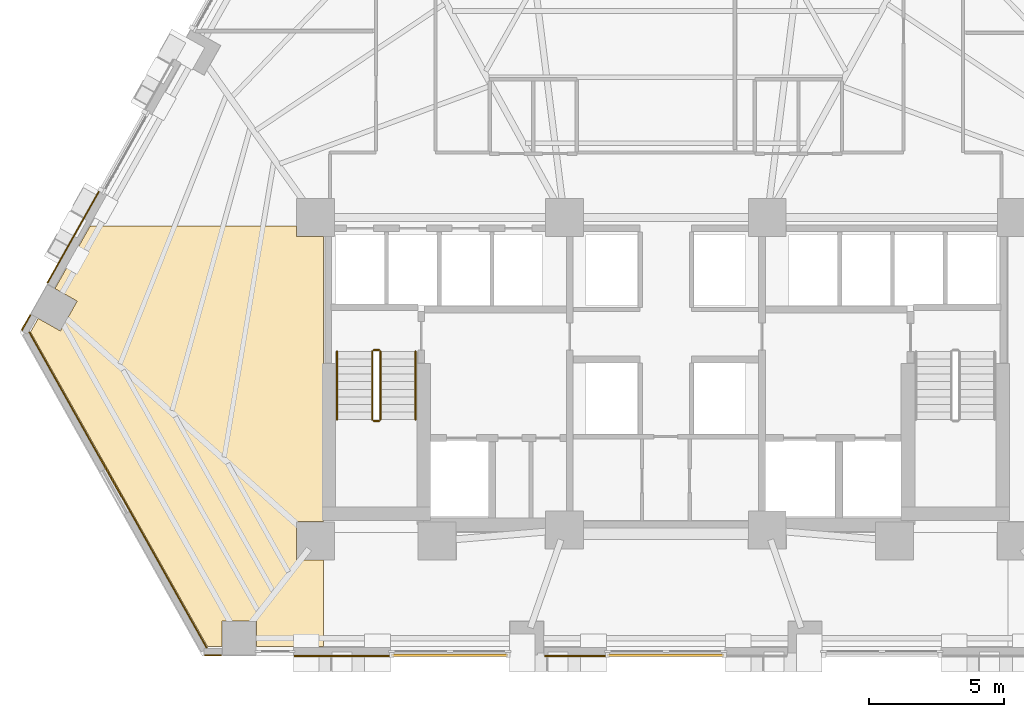
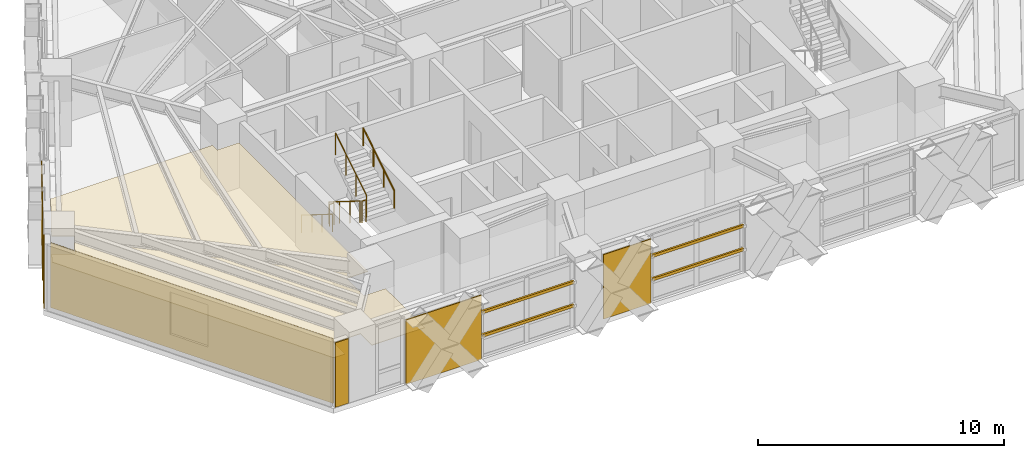
# One storey, part 10 of 13: 7 coverings, 6 railings, 4 shading devices.
"""IFC4 building model written with IfcOpenShell, lengths in metres."""

import ifcopenshell
import ifcopenshell.guid

model = None  # the IFC model being written
_history = None  # IfcOwnerHistory: only IFC2X3 demands one
_inside = {}  # id of a spatial element -> (the spatial element, [elements in it])
_under = {}  # id of a project, library or spatial element -> (it, [spatial elements below it])
_declared = {}  # id of a project -> (the project, [libraries it declares])
_typed = {}  # id of a type object -> (the type object, [elements of that type])
_made_of = {}  # id of a material, layer set ... -> (it, [elements and type objects made of it])


def new_model(schema):
    """Start an empty IFC model of exactly this schema.

    Asked for "IFC4X3", IfcOpenShell would pick the latest addendum, in which some entities
    have other attributes; the version numbers below select the first issue.
    IFC2X3 requires an IfcOwnerHistory on every rooted entity: one is made here for all.
    """
    global model, _history
    if schema == "IFC4X3":
        model = ifcopenshell.file(schema_version=(4, 3, 0, 0))
    else:
        model = ifcopenshell.file(schema=schema)
    _inside.clear()
    _under.clear()
    _declared.clear()
    _typed.clear()
    _made_of.clear()
    _history = None
    if model.schema == "IFC2X3":
        org = make("IfcOrganization", Name="unknown")
        user = make(
            "IfcPersonAndOrganization",
            ThePerson=make("IfcPerson", FamilyName="unknown"),
            TheOrganization=org,
        )
        app = make(
            "IfcApplication",
            ApplicationDeveloper=org,
            Version="unknown",
            ApplicationFullName="unknown",
            ApplicationIdentifier="unknown",
        )
        _history = make(
            "IfcOwnerHistory",
            OwningUser=user,
            OwningApplication=app,
            ChangeAction="ADDED",
            CreationDate=0,
        )
    return model


def make(cls, **values):
    """One entity of the class cls with the attributes given. An attribute that is None is left unset."""
    return model.create_entity(
        cls, **{name: value for name, value in values.items() if value is not None}
    )


def rooted(cls, **values):
    """An entity with a GlobalId (a new one), such as an element, a storey or a relation."""
    return make(cls, GlobalId=ifcopenshell.guid.new(), OwnerHistory=_history, **values)


def si_unit(unit_type, name, prefix=None):
    """IfcSIUnit, for example si_unit("LENGTHUNIT", "METRE", prefix="MILLI")."""
    return make("IfcSIUnit", UnitType=unit_type, Prefix=prefix, Name=name)


def assignment(units):
    """IfcUnitAssignment: the units of a project."""
    return None if units is None else make("IfcUnitAssignment", Units=units)


def point(xyz):
    """IfcCartesianPoint."""
    return None if xyz is None else make("IfcCartesianPoint", Coordinates=xyz)


def direction(xyz):
    """IfcDirection."""
    return None if xyz is None else make("IfcDirection", DirectionRatios=xyz)


def frame(location, z_axis=None, x_axis=None):
    """IfcAxis2Placement3D, a coordinate frame: its origin and axes. An axis left out is left unset."""
    return make(
        "IfcAxis2Placement3D",
        Location=point(location),
        Axis=direction(z_axis),
        RefDirection=direction(x_axis),
    )


def frame_2d(location, x_axis=None):
    """IfcAxis2Placement2D, a coordinate frame in the plane: its origin and x axis."""
    return make(
        "IfcAxis2Placement2D", Location=point(location), RefDirection=direction(x_axis)
    )


def origin():
    """The frame at (0, 0, 0) with its axes left unset."""
    return frame((0.0, 0.0, 0.0))


def origin_2d():
    """The frame at (0, 0) in the plane with its x axis left unset."""
    return frame_2d((0.0, 0.0))


def place(relative_to, where):
    """IfcLocalPlacement: puts the frame where relative to a parent placement (None: the world)."""
    return make(
        "IfcLocalPlacement", PlacementRelTo=relative_to, RelativePlacement=where
    )


def context(
    kind, dimensions, precision=None, world=None, true_north=None, identifier=None
):
    """IfcGeometricRepresentationContext, for example the 3D "Model" context."""
    return make(
        "IfcGeometricRepresentationContext",
        ContextIdentifier=identifier,
        ContextType=kind,
        CoordinateSpaceDimension=dimensions,
        Precision=precision,
        WorldCoordinateSystem=world,
        TrueNorth=true_north,
    )


def subcontext(parent, identifier, kind, view, scale=None):
    """IfcGeometricRepresentationSubContext, for example "Body" below "Model"."""
    return make(
        "IfcGeometricRepresentationSubContext",
        ContextIdentifier=identifier,
        ContextType=kind,
        ParentContext=parent,
        TargetScale=scale,
        TargetView=view,
    )


def project(units=None, contexts=None):
    """IfcProject with its units and contexts."""
    return rooted(
        "IfcProject",
        Name="project",
        RepresentationContexts=contexts,
        UnitsInContext=assignment(units),
    )


def spatial(cls, under=None, at=None, **own):
    """A site, building, storey or space (cls), placed at a placement, below another one or the project."""
    s = rooted(cls, ObjectPlacement=at, **own)
    if under is not None:
        _under.setdefault(under.id(), (under, []))[1].append(s)
    return s


def polyline(points):
    """IfcPolyline through the points."""
    return make("IfcPolyline", Points=[point(p) for p in points])


def profile(cls, at=None, kind="AREA", **sizes):
    """A parametric profile (cls). Its sizes go by their IFC names, for example OverallWidth=200.0."""
    return make(cls, ProfileType=kind, Position=at, **sizes)


def rectangle(**sizes):
    """IfcRectangleProfileDef."""
    return profile("IfcRectangleProfileDef", **sizes)


def circle(**sizes):
    """IfcCircleProfileDef."""
    return profile("IfcCircleProfileDef", **sizes)


def outline(outer, holes=None, kind="AREA"):
    """IfcArbitraryClosedProfileDef: a profile drawn as a closed curve; with holes, ...WithVoids."""
    if holes is None:
        return make("IfcArbitraryClosedProfileDef", ProfileType=kind, OuterCurve=outer)
    return make(
        "IfcArbitraryProfileDefWithVoids",
        ProfileType=kind,
        OuterCurve=outer,
        InnerCurves=holes,
    )


def extrude(swept, where, along, depth):
    """IfcExtrudedAreaSolid: the profile swept, set in the frame where, extruded along a direction by depth."""
    return make(
        "IfcExtrudedAreaSolid",
        SweptArea=swept,
        Position=where,
        ExtrudedDirection=direction(along),
        Depth=depth,
    )


def shape(context_of_items, identifier, shape_type, items):
    """IfcShapeRepresentation: the items that make up one representation, for example the "Body"."""
    return make(
        "IfcShapeRepresentation",
        ContextOfItems=context_of_items,
        RepresentationIdentifier=identifier,
        RepresentationType=shape_type,
        Items=items,
    )


def material(Name=None, Category=None):
    """IfcMaterial."""
    return make("IfcMaterial", Name=Name, Category=Category)


def layer(
    of_material, thickness, ventilated=None, Name=None, Category=None, Priority=None
):
    """IfcMaterialLayer: one layer of a wall or slab, of a material (None: an air gap)."""
    return make(
        "IfcMaterialLayer",
        Material=of_material,
        LayerThickness=thickness,
        IsVentilated=ventilated,
        Name=Name,
        Category=Category,
        Priority=Priority,
    )


def layer_set(layers, Name=None):
    """IfcMaterialLayerSet."""
    return make("IfcMaterialLayerSet", MaterialLayers=layers, LayerSetName=Name)


def material_profile(
    of_material, cross_section, Name=None, Category=None, Priority=None
):
    """IfcMaterialProfile: a cross section and its material."""
    return make(
        "IfcMaterialProfile",
        Name=Name,
        Material=of_material,
        Profile=cross_section,
        Priority=Priority,
        Category=Category,
    )


def profile_set(profiles, Name=None, composite=None):
    """IfcMaterialProfileSet."""
    return make(
        "IfcMaterialProfileSet",
        Name=Name,
        MaterialProfiles=profiles,
        CompositeProfile=composite,
    )


def made_of(thing, what):
    """Note that an element or type object is made of a material, layer set ...; save() writes the relation."""
    if what is not None:
        _made_of.setdefault(what.id(), (what, []))[1].append(thing)
    return thing


def type_object(cls, material=None, **own):
    """A type object (cls), such as IfcWallType, which elements share."""
    return made_of(rooted(cls, **own), material)


def element(
    cls,
    number,
    at=None,
    inside=None,
    cuts=None,
    type_object=None,
    material=None,
    context=None,
    identifier="Body",
    shape_type=None,
    held_by="IfcProductDefinitionShape",
    body=None,
    shapes=None,
    **own,
):
    """One element of the class cls, such as IfcWall. Its Tag is "e" and its number.

    at: its placement. inside: the storey or other place that contains it. cuts: it is an
    opening in that element (IfcRelVoidsElement). A single representation is given by context,
    identifier, shape_type and body (its items); several are given by shapes. held_by: the class
    of the entity that holds the representations. save() writes the other relations.
    """
    e = rooted(cls, Tag="e%d" % number, ObjectPlacement=at, **own)
    if body is not None:
        shapes = [shape(context, identifier, shape_type, body)]
    if shapes is not None:
        e.Representation = make(held_by, Representations=shapes)
    if inside is not None:
        _inside.setdefault(inside.id(), (inside, []))[1].append(e)
    if cuts is not None:
        rooted(
            "IfcRelVoidsElement", RelatingBuildingElement=cuts, RelatedOpeningElement=e
        )
    if type_object is not None:
        _typed.setdefault(type_object.id(), (type_object, []))[1].append(e)
    return made_of(e, material)


def aggregate(whole, parts):
    """IfcRelAggregates: a whole, such as a stair, and the parts it consists of."""
    return rooted("IfcRelAggregates", RelatingObject=whole, RelatedObjects=parts)


def save(model, path):
    """Write the relations noted so far, then the file.

    IfcRelAggregates (storeys below a building ...), IfcRelContainedInSpatialStructure (elements
    in a storey), IfcRelDefinesByType, IfcRelAssociatesMaterial and IfcRelDeclares: one each for
    every whole, place, type object, material and project.
    """
    for whole, parts in _under.values():
        aggregate(whole, parts)
    for where, things in _inside.values():
        rooted(
            "IfcRelContainedInSpatialStructure",
            RelatedElements=things,
            RelatingStructure=where,
        )
    for kind, things in _typed.values():
        rooted("IfcRelDefinesByType", RelatedObjects=things, RelatingType=kind)
    for what, things in _made_of.values():
        rooted("IfcRelAssociatesMaterial", RelatedObjects=things, RelatingMaterial=what)
    for by, libraries in _declared.values():
        rooted("IfcRelDeclares", RelatingContext=by, RelatedDefinitions=libraries)
    model.write(path)


model = new_model("IFC4")

# Units and contexts
model_context = context("Model", 3, precision=1e-05, world=origin(), true_north=direction((0.0, 1.0)))
body_context = subcontext(model_context, "Body", "Model", "MODEL_VIEW")
ifc_project = project(units=[si_unit("LENGTHUNIT", "METRE"), si_unit("AREAUNIT", "SQUARE_METRE"), si_unit("VOLUMEUNIT", "CUBIC_METRE"), si_unit("PLANEANGLEUNIT", "RADIAN"), si_unit("MASSUNIT", "GRAM", prefix="KILO")], contexts=[model_context])

# Site, building, storey
site_placement = place(None, origin())
site = spatial("IfcSite", under=ifc_project, at=site_placement, CompositionType="ELEMENT")
building_placement = place(site_placement, origin())
building = spatial("IfcBuilding", under=site, at=building_placement, Name="Quenlor Broadcast Tower", CompositionType="ELEMENT")
storey_placement = place(building_placement, frame((0.0, 0.0, 52.10009765625)))
storey = spatial("IfcBuildingStorey", under=building, at=storey_placement, Name="L13", CompositionType="ELEMENT", Elevation=52.10009765625)

# Covering
ifc_material_1 = material(Name="Acoustic Mineral Fibre Board", Category="other")
ifc_layer_1 = layer(ifc_material_1, 0.02490234375)
ifc_layer_set_1 = layer_set([ifc_layer_1], Name="Acoustic Perforated Mineral Tile Ceiling 25")
covering_type_1 = type_object("IfcCoveringType", Name="Acoustic Perforated Mineral Tile Ceiling 25", PredefinedType="CEILING", material=ifc_layer_set_1)
covering_1_placement = place(storey_placement, frame((0.0, 0.0, 2.224853515625)))
element("IfcCovering", 1, at=covering_1_placement, inside=storey, type_object=covering_type_1, Name="L13 Acoustic Ceiling L13-40-3", PredefinedType="CEILING", context=body_context, shape_type="SweptSolid", body=[
    extrude(outline(polyline([(-21.754150390625, -7.890625), (-22.575927734375, -7.428466796875), (-21.27734375, -5.1201171875), (-13.657958984375, -5.1201171875), (-13.657958984375, -5.508056640625), (-12.64990234375, -5.508056640625), (-12.64990234375, -16.0419921875), (-13.657958984375, -16.0419921875), (-13.657958984375, -17.4580078125), (-12.64990234375, -17.4580078125), (-12.64990234375, -20.659912109375), (-15.132080078125, -20.659912109375), (-15.132080078125, -19.717041015625), (-16.398193359375, -19.717041015625), (-16.398193359375, -20.659912109375), (-16.937255859375, -20.659912109375), (-23.477783203125, -9.031982421875), (-23.196533203125, -8.531982421875), (-22.374755859375, -8.994140625), (-21.754150390625, -7.890625)])), origin(), (0.0, 0.0, 1.0), 0.025146484375),
])

# Shading devices
ifc_material_2 = material(Name="Architectural Terracotta Ceramic", Category="masonry")
ifc_material_profile = material_profile(ifc_material_2, rectangle(XDim=0.090087890625, YDim=0.139892578125, at=origin_2d()))
ifc_profile_set = profile_set([ifc_material_profile], Name="Architectural Terracotta Ceramic BAG90x140")
shading_device_type = type_object("IfcShadingDeviceType", Name="Copper Terracotta Baguette Solar Screen 140", PredefinedType="USERDEFINED", material=ifc_profile_set)
for number, where, z_axis, x_axis, name in (
    (2, (-5.830810546875, -20.98291015625, 1.169921875), (-1.0, 0.0, 0.0), (0.0, -1.0, 0.0), "L13 Terracotta Baguette Screen 1"),
    (3, (-5.830810546875, -20.98291015625, 2.33984375), (-1.0, 0.0, 0.0), (0.0, -1.0, 0.0), "L13 Terracotta Baguette Screen 2"),
):
    element("IfcShadingDevice", number, at=place(storey_placement, frame(where, z_axis=z_axis, x_axis=x_axis)), inside=storey, type_object=shading_device_type, Name=name, ObjectType="BAGUETTE", PredefinedType="USERDEFINED", context=body_context, shape_type="SweptSolid", body=[
        extrude(rectangle(XDim=0.090087890625, YDim=0.139892578125, at=origin_2d()), origin(), (0.0, 0.0, 1.0), 4.303955078125),
    ])
for number, where, z_axis, x_axis, name in (
    (4, (2.154296875, -20.98291015625, 1.169921875), (-1.0, 0.0, 0.0), (0.0, -1.0, 0.0), "L13 Terracotta Baguette Screen 1"),
    (5, (2.154296875, -20.98291015625, 2.33984375), (-1.0, 0.0, 0.0), (0.0, -1.0, 0.0), "L13 Terracotta Baguette Screen 2"),
):
    element("IfcShadingDevice", number, at=place(storey_placement, frame(where, z_axis=z_axis, x_axis=x_axis)), inside=storey, type_object=shading_device_type, Name=name, ObjectType="BAGUETTE", PredefinedType="USERDEFINED", context=body_context, shape_type="SweptSolid", body=[
        extrude(rectangle(XDim=0.090087890625, YDim=0.139892578125, at=origin_2d()), origin(), (0.0, 0.0, 1.0), 4.30859375),
    ])

# Coverings
ifc_material_3 = material(Name="Architectural Terracotta Ceramic", Category="masonry")
ifc_layer_2 = layer(ifc_material_3, 0.044921875)
ifc_layer_set_2 = layer_set([ifc_layer_2], Name="Fluted Terracotta Rainscreen Cladding Panel")
covering_type_2 = type_object("IfcCoveringType", Name="Fluted Terracotta Rainscreen Cladding Panel", PredefinedType="CLADDING", material=ifc_layer_set_2)
covering_2_placement = place(storey_placement, frame((0.0, 0.0, 0.02001953125)))
element("IfcCovering", 6, at=covering_2_placement, inside=storey, type_object=covering_type_2, Name="L13 Terracotta Rainscreen Cladding L13-SHD-SS1", PredefinedType="CLADDING", context=body_context, shape_type="SweptSolid", body=[
    extrude(outline(polyline([(-16.425048828125, -20.951904296875), (-17.0458984375, -20.951904296875), (-17.0458984375, -20.9970703125), (-16.425048828125, -20.9970703125), (-16.425048828125, -20.951904296875)])), origin(), (0.0, 0.0, 1.0), 3.2099609375),
])
covering_3_placement = place(storey_placement, frame((0.0, 0.0, 0.02001953125)))
element("IfcCovering", 7, at=covering_3_placement, inside=storey, type_object=covering_type_2, Name="L13 Terracotta Rainscreen Cladding L13-SC-SP1", PredefinedType="CLADDING", context=body_context, shape_type="SweptSolid", body=[
    extrude(outline(polyline([(-10.20458984375, -20.98193359375), (-13.73681640625, -20.98193359375), (-13.73681640625, -21.027099609375), (-10.20458984375, -21.027099609375), (-10.20458984375, -20.98193359375)])), origin(), (0.0, 0.0, 1.0), 3.2099609375),
])
covering_4_placement = place(storey_placement, frame((0.0, 0.0, 0.02001953125)))
element("IfcCovering", 8, at=covering_4_placement, inside=storey, type_object=covering_type_2, Name="L13 Terracotta Rainscreen Cladding L13-S-SP2", PredefinedType="CLADDING", context=body_context, shape_type="SweptSolid", body=[
    extrude(outline(polyline([(-2.22412109375, -20.98193359375), (-4.4658203125, -20.98193359375), (-4.4658203125, -21.027099609375), (-2.22412109375, -21.027099609375), (-2.22412109375, -20.98193359375)])), origin(), (0.0, 0.0, 1.0), 3.2099609375),
])
covering_5_placement = place(storey_placement, frame((0.0, 0.0, 0.02001953125)))
element("IfcCovering", 9, at=covering_5_placement, inside=storey, type_object=covering_type_2, Name="L13 Terracotta Rainscreen Cladding L13-SHD-NWS0", PredefinedType="CLADDING", context=body_context, shape_type="SweptSolid", body=[
    extrude(outline(polyline([(-23.781982421875, -8.97705078125), (-23.464111328125, -8.412109375), (-23.50341796875, -8.39013671875), (-23.8212890625, -8.955078125), (-23.781982421875, -8.97705078125)])), origin(), (0.0, 0.0, 1.0), 3.2099609375),
])
covering_6_placement = place(storey_placement, frame((0.0, 0.0, 0.02001953125)))
element("IfcCovering", 10, at=covering_6_placement, inside=storey, type_object=covering_type_2, Name="L13 Terracotta Rainscreen Cladding L13-NWA-SP1", PredefinedType="CLADDING", context=body_context, shape_type="SweptSolid", body=[
    extrude(outline(polyline([(-22.83349609375, -7.2294921875), (-20.9228515625, -3.8330078125), (-20.962158203125, -3.81103515625), (-22.872802734375, -7.20751953125), (-22.83349609375, -7.2294921875)])), origin(), (0.0, 0.0, 1.0), 3.2099609375),
])
covering_7_placement = place(storey_placement, frame((0.0, 0.0, 0.02001953125)))
element("IfcCovering", 11, at=covering_7_placement, inside=storey, type_object=covering_type_2, Name="L13 Terracotta Rainscreen Cladding L13-CNR-04", PredefinedType="CLADDING", context=body_context, shape_type="SweptSolid", body=[
    extrude(outline(polyline([(-23.547607421875, -9.046875), (-16.98388671875, -20.71533203125), (-16.94482421875, -20.693359375), (-23.50830078125, -9.02490234375), (-23.547607421875, -9.046875)])), origin(), (0.0, 0.0, 1.0), 3.2099609375),
])

# Railings
ifc_material_4 = material(Name="Anodised Aluminium", Category="aluminium")
railing_type_1 = type_object("IfcRailingType", Name="Stainless Aluminium Wall Handrail 900", PredefinedType="HANDRAIL", material=ifc_material_4)
railing_1_placement = place(storey_placement, frame((-12.14990234375, -9.75, 0.1748046875)))
element("IfcRailing", 12, at=railing_1_placement, inside=storey, type_object=railing_type_1, Name="L13 ST-1 stair handrail 1", PredefinedType="HANDRAIL", context=body_context, shape_type="SweptSolid", body=[
    extrude(circle(Radius=0.02392578125, at=origin_2d()), frame((0.0, 0.0, 0.8759765625), z_axis=(0.0, -0.847970611238, 0.530043245855), x_axis=(1.0, 0.0, 0.0)), (0.0, 0.0, 1.0), 2.971923828125),
    extrude(circle(Radius=0.02099609375, at=origin_2d()), origin(), (0.0, 0.0, 1.0), 0.851806640625),
    extrude(circle(Radius=0.02099609375, at=origin_2d()), frame((0.0, -0.840087890625, 0.525146484375)), (0.0, 0.0, 1.0), 0.851806640625),
    extrude(circle(Radius=0.02099609375, at=origin_2d()), frame((0.0, -1.679931640625, 1.050048828125)), (0.0, 0.0, 1.0), 0.851806640625),
    extrude(circle(Radius=0.02099609375, at=origin_2d()), frame((0.0, -2.52001953125, 1.5751953125)), (0.0, 0.0, 1.0), 0.851806640625),
])
railing_2_placement = place(storey_placement, frame((-9.25, -12.27001953125, 1.9248046875)))
element("IfcRailing", 13, at=railing_2_placement, inside=storey, type_object=railing_type_1, Name="L13 ST-1 stair handrail 2", PredefinedType="HANDRAIL", context=body_context, shape_type="SweptSolid", body=[
    extrude(circle(Radius=0.02392578125, at=origin_2d()), frame((0.0, 0.0, 0.8759765625), z_axis=(0.0, 0.847970611238, 0.530043245855), x_axis=(-1.0, 0.0, 0.0)), (0.0, 0.0, 1.0), 2.971923828125),
    extrude(circle(Radius=0.02099609375, at=origin_2d()), origin(), (0.0, 0.0, 1.0), 0.851806640625),
    extrude(circle(Radius=0.02099609375, at=origin_2d()), frame((0.0, 0.840087890625, 0.525146484375)), (0.0, 0.0, 1.0), 0.851806640625),
    extrude(circle(Radius=0.02099609375, at=origin_2d()), frame((0.0, 1.679931640625, 1.050048828125)), (0.0, 0.0, 1.0), 0.851806640625),
    extrude(circle(Radius=0.02099609375, at=origin_2d()), frame((0.0, 2.52001953125, 1.5751953125)), (0.0, 0.0, 1.0), 0.851806640625),
])
ifc_material_5 = material(Name="Steel S355", Category="steel")
railing_type_2 = type_object("IfcRailingType", Name="Tubular Steel S355 Stair Guardrail 1100", PredefinedType="BALUSTRADE", material=ifc_material_5)
railing_3_placement = place(storey_placement, frame((-10.85009765625, -9.75, 0.1748046875)))
element("IfcRailing", 14, at=railing_3_placement, inside=storey, type_object=railing_type_2, Name="L13 ST-1 stair guard 1", PredefinedType="BALUSTRADE", context=body_context, shape_type="SweptSolid", body=[
    extrude(circle(Radius=0.02392578125, at=origin_2d()), frame((0.0, 0.0, 1.076171875), z_axis=(0.0, -0.847970611238, 0.530043245855), x_axis=(1.0, 0.0, 0.0)), (0.0, 0.0, 1.0), 2.971923828125),
    extrude(circle(Radius=0.02099609375, at=origin_2d()), origin(), (0.0, 0.0, 1.0), 1.052001953125),
    extrude(circle(Radius=0.02099609375, at=origin_2d()), frame((0.0, -0.840087890625, 0.525146484375)), (0.0, 0.0, 1.0), 1.052001953125),
    extrude(circle(Radius=0.02099609375, at=origin_2d()), frame((0.0, -1.679931640625, 1.050048828125)), (0.0, 0.0, 1.0), 1.052001953125),
    extrude(circle(Radius=0.02099609375, at=origin_2d()), frame((0.0, -2.52001953125, 1.5751953125)), (0.0, 0.0, 1.0), 1.052001953125),
])
railing_4_placement = place(storey_placement, frame((-10.800048828125, -12.320068359375, 1.75)))
element("IfcRailing", 15, at=railing_4_placement, inside=storey, type_object=railing_type_2, Name="L13 ST-1 stair guard 2", PredefinedType="BALUSTRADE", context=body_context, shape_type="SweptSolid", body=[
    extrude(circle(Radius=0.02392578125, at=origin_2d()), frame((0.0, 0.0, 1.076171875), z_axis=(1.0, 0.0, 0.0), x_axis=(0.0, 1.0, 0.0)), (0.0, 0.0, 1.0), 0.199951171875),
    extrude(circle(Radius=0.02099609375, at=origin_2d()), origin(), (0.0, 0.0, 1.0), 1.052001953125),
    extrude(circle(Radius=0.02099609375, at=origin_2d()), frame((0.199951171875, 0.0, 0.0)), (0.0, 0.0, 1.0), 1.052001953125),
])
railing_5_placement = place(storey_placement, frame((-10.550048828125, -12.27001953125, 1.9248046875)))
element("IfcRailing", 16, at=railing_5_placement, inside=storey, type_object=railing_type_2, Name="L13 ST-1 stair guard 3", PredefinedType="BALUSTRADE", context=body_context, shape_type="SweptSolid", body=[
    extrude(circle(Radius=0.02392578125, at=origin_2d()), frame((0.0, 0.0, 1.076171875), z_axis=(0.0, 0.847970611238, 0.530043245855), x_axis=(-1.0, 0.0, 0.0)), (0.0, 0.0, 1.0), 2.971923828125),
    extrude(circle(Radius=0.02099609375, at=origin_2d()), origin(), (0.0, 0.0, 1.0), 1.052001953125),
    extrude(circle(Radius=0.02099609375, at=origin_2d()), frame((0.0, 0.840087890625, 0.525146484375)), (0.0, 0.0, 1.0), 1.052001953125),
    extrude(circle(Radius=0.02099609375, at=origin_2d()), frame((0.0, 1.679931640625, 1.050048828125)), (0.0, 0.0, 1.0), 1.052001953125),
    extrude(circle(Radius=0.02099609375, at=origin_2d()), frame((0.0, 2.52001953125, 1.5751953125)), (0.0, 0.0, 1.0), 1.052001953125),
])
railing_6_placement = place(storey_placement, frame((-10.800048828125, -9.699951171875, 0.0)))
element("IfcRailing", 17, at=railing_6_placement, inside=storey, type_object=railing_type_2, Name="L13 ST-1 stair guard 4", PredefinedType="BALUSTRADE", context=body_context, shape_type="SweptSolid", body=[
    extrude(circle(Radius=0.02392578125, at=origin_2d()), frame((0.0, 0.0, 1.076171875), z_axis=(1.0, 0.0, 0.0), x_axis=(0.0, 1.0, 0.0)), (0.0, 0.0, 1.0), 0.199951171875),
    extrude(circle(Radius=0.02099609375, at=origin_2d()), origin(), (0.0, 0.0, 1.0), 1.052001953125),
    extrude(circle(Radius=0.02099609375, at=origin_2d()), frame((0.199951171875, 0.0, 0.0)), (0.0, 0.0, 1.0), 1.052001953125),
])

save(model, "model.ifc")
